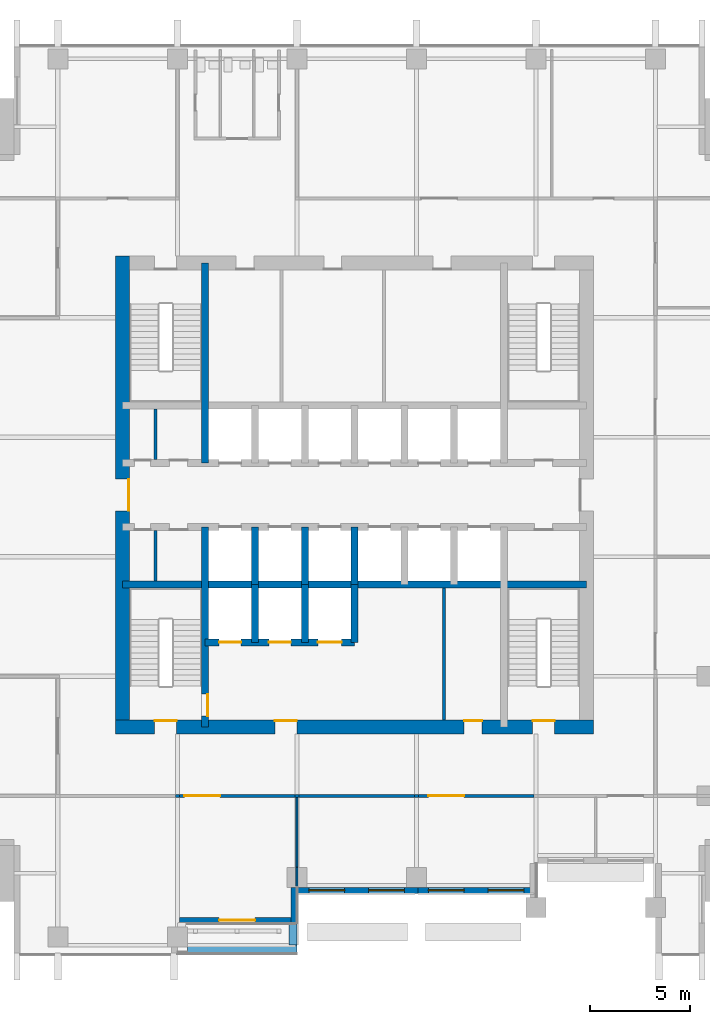
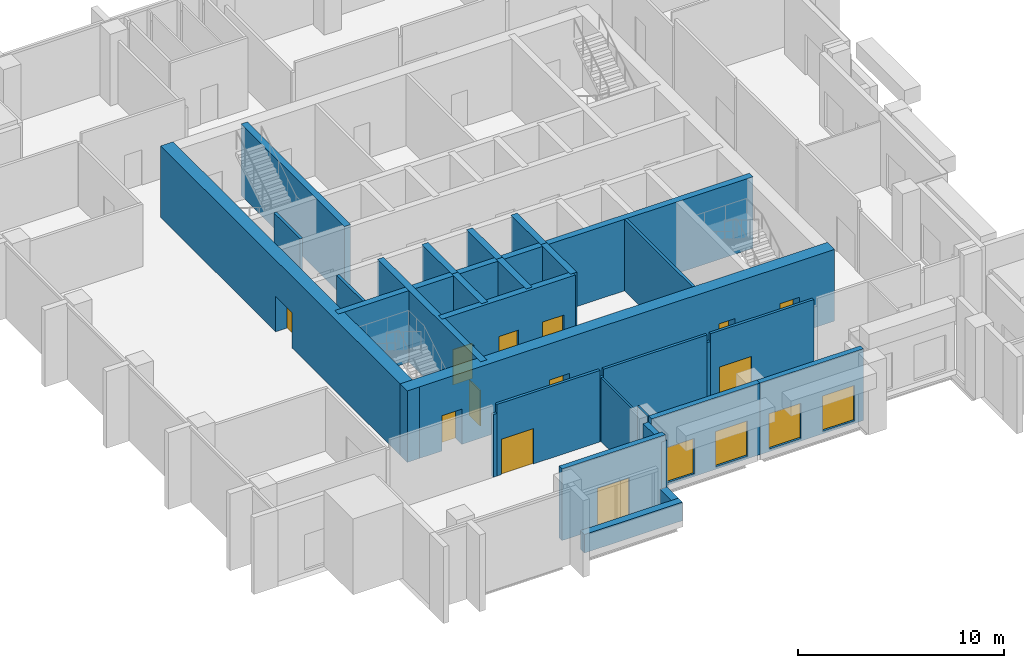
# One storey, part 4 of 11: 29 walls, 12 doors, 4 windows, 16 openings.
"""IFC4 building model written with IfcOpenShell, lengths in metres."""

from ifc_helpers import new_model, si_unit, direction, frame, frame_2d, origin, place, context, subcontext, project, spatial, rectangle, extrude, material, layer, layer_set, type_object, element, fill, save


model = new_model("IFC4")

# Units and contexts
model_context = context("Model", 3, precision=1e-05, world=origin(), true_north=direction((0.0, 1.0)))
body_context = subcontext(model_context, "Body", "Model", "MODEL_VIEW")
ifc_project = project(units=[si_unit("LENGTHUNIT", "METRE"), si_unit("AREAUNIT", "SQUARE_METRE"), si_unit("VOLUMEUNIT", "CUBIC_METRE"), si_unit("PLANEANGLEUNIT", "RADIAN"), si_unit("MASSUNIT", "GRAM", prefix="KILO")], contexts=[model_context])

# Site, building, storey
site_placement = place(None, origin())
site = spatial("IfcSite", under=ifc_project, at=site_placement, CompositionType="ELEMENT")
building_placement = place(site_placement, origin())
building = spatial("IfcBuilding", under=site, at=building_placement, Name="Amberfall Residences", CompositionType="ELEMENT")
storey_placement = place(building_placement, frame((0.0, 0.0, 150.39990234375)))
storey = spatial("IfcBuildingStorey", under=building, at=storey_placement, Name="L40", CompositionType="ELEMENT", Elevation=150.39990234375)

# Wall, opening, door
ifc_material_1 = material(Name="Pale stone cladding on insulated backing", Category="masonry")
ifc_layer_1 = layer(ifc_material_1, 0.300048828125)
ifc_layer_set_1 = layer_set([ifc_layer_1], Name="Bronze clad wall 300")
wall_type_1 = type_object("IfcWallType", Name="Bronze clad wall 300", PredefinedType="SOLIDWALL", material=ifc_layer_set_1)
wall_1_placement = place(storey_placement, frame((65.7099609375, 24.14990234375, 0.0), z_axis=(0.0, 0.0, 1.0), x_axis=(1.0, 0.0, 0.0)))
wall_1 = element("IfcWall", 1, at=wall_1_placement, inside=storey, type_object=wall_type_1, Name="Stone wall L40 S", PredefinedType="SOLIDWALL", context=body_context, shape_type="SweptSolid", body=[
    extrude(rectangle(XDim=5.800048828125, YDim=0.300048828125, at=frame_2d((2.89990234375, 0.0))), origin(), (0.0, 0.0, 1.0), 4.25),
])
opening_1_placement = place(wall_1_placement, frame((1.989990234375, 0.0, 0.0)))
opening_1 = element("IfcOpeningElement", 2, at=opening_1_placement, cuts=wall_1, Name="Opening D9", PredefinedType="OPENING", context=body_context, shape_type="SweptSolid", body=[
    extrude(rectangle(XDim=1.800048828125, YDim=2.39990234375, at=frame_2d((0.89990234375, 1.199951171875))), frame((0.0, 0.159912109375, 0.0), z_axis=(0.0, -1.0, 0.0), x_axis=(1.0, 0.0, 0.0)), (0.0, 0.0, 1.0), 0.320068359375),
])
ifc_material_2 = material(Name="Bronze framed toughened glass", Category="glass")
door_type_1 = type_object("IfcDoorType", Name="Terrace door 1800x2400", OperationType="DOUBLE_DOOR_SINGLE_SWING", PredefinedType="DOOR", material=ifc_material_2)
door_1_placement = place(opening_1_placement, origin())
door_1 = element("IfcDoor", 3, at=door_1_placement, inside=storey, type_object=door_type_1, Name="Sky garden terrace door S2", OperationType="DOUBLE_DOOR_SINGLE_SWING", OverallHeight=2.39990234375, OverallWidth=1.800048828125, PredefinedType="DOOR", context=body_context, shape_type="SweptSolid", body=[
    extrude(rectangle(XDim=1.800048828125, YDim=2.39990234375, at=frame_2d((0.89990234375, 1.199951171875))), frame((0.0, 0.02490234375, 0.0), z_axis=(0.0, -1.0, 0.0), x_axis=(1.0, 0.0, 0.0)), (0.0, 0.0, 1.0), 0.050048828125),
])
fill(opening_1, door_1)

# Wall
wall_2_placement = place(storey_placement, frame((71.449951171875, 24.0, 0.0), z_axis=(0.0, 0.0, 1.0), x_axis=(0.0, 1.0, 0.0)))
element("IfcWall", 4, at=wall_2_placement, inside=storey, type_object=wall_type_1, Name="Stone wall L40 E", PredefinedType="SOLIDWALL", context=body_context, shape_type="SweptSolid", body=[
    extrude(rectangle(XDim=1.800048828125, YDim=0.300048828125, at=frame_2d((0.89990234375, 0.0))), origin(), (0.0, 0.0, 1.0), 3.896728515625),
])

# Wall, openings, windows
wall_3_placement = place(storey_placement, frame((71.60009765625, 25.64990234375, 0.0), z_axis=(0.0, 0.0, 1.0), x_axis=(1.0, 0.0, 0.0)))
wall_3 = element("IfcWall", 5, at=wall_3_placement, inside=storey, type_object=wall_type_1, Name="Stone wall L40 S", PredefinedType="SOLIDWALL", context=body_context, shape_type="SweptSolid", body=[
    extrude(rectangle(XDim=6.08984375, YDim=0.300048828125, at=frame_2d((3.044921875, 0.0))), origin(), (0.0, 0.0, 1.0), 4.25),
])
opening_2_placement = place(wall_3_placement, frame((0.60009765625, 0.0, 0.14990234375)))
opening_2 = element("IfcOpeningElement", 6, at=opening_2_placement, cuts=wall_3, Name="Opening WN6", PredefinedType="OPENING", context=body_context, shape_type="SweptSolid", body=[
    extrude(rectangle(XDim=1.800048828125, YDim=2.10009765625, at=frame_2d((0.89990234375, 1.050048828125))), frame((0.0, 0.159912109375, 0.0), z_axis=(0.0, -1.0, 0.0), x_axis=(1.0, 0.0, 0.0)), (0.0, 0.0, 1.0), 0.320068359375),
])
opening_3_placement = place(wall_3_placement, frame((3.60009765625, 0.0, 0.14990234375)))
opening_3 = element("IfcOpeningElement", 7, at=opening_3_placement, cuts=wall_3, Name="Opening WN6", PredefinedType="OPENING", context=body_context, shape_type="SweptSolid", body=[
    extrude(rectangle(XDim=1.800048828125, YDim=2.10009765625, at=frame_2d((0.89990234375, 1.050048828125))), frame((0.0, 0.159912109375, 0.0), z_axis=(0.0, -1.0, 0.0), x_axis=(1.0, 0.0, 0.0)), (0.0, 0.0, 1.0), 0.320068359375),
])
ifc_material_3 = material(Name="Bronze aluminium framed glazing", Category="aluminium")
window_type = type_object("IfcWindowType", Name="Glazed opening 1800 x 2100 bronze", PartitioningType="DOUBLE_PANEL_VERTICAL", PredefinedType="WINDOW", material=ifc_material_3)
window_1_placement = place(opening_2_placement, origin())
window_1 = element("IfcWindow", 8, at=window_1_placement, inside=storey, type_object=window_type, Name="Window L40 S", OverallHeight=2.10009765625, OverallWidth=1.800048828125, PartitioningType="DOUBLE_PANEL_VERTICAL", PredefinedType="WINDOW", context=body_context, shape_type="SweptSolid", body=[
    extrude(rectangle(XDim=1.800048828125, YDim=2.10009765625, at=frame_2d((0.89990234375, 1.050048828125))), frame((0.0, 0.030029296875, 0.0), z_axis=(0.0, -1.0, 0.0), x_axis=(1.0, 0.0, 0.0)), (0.0, 0.0, 1.0), 0.06005859375),
])
fill(opening_2, window_1)
window_2_placement = place(opening_3_placement, origin())
window_2 = element("IfcWindow", 9, at=window_2_placement, inside=storey, type_object=window_type, Name="Window L40 S", OverallHeight=2.10009765625, OverallWidth=1.800048828125, PartitioningType="DOUBLE_PANEL_VERTICAL", PredefinedType="WINDOW", context=body_context, shape_type="SweptSolid", body=[
    extrude(rectangle(XDim=1.800048828125, YDim=2.10009765625, at=frame_2d((0.89990234375, 1.050048828125))), frame((0.0, 0.030029296875, 0.0), z_axis=(0.0, -1.0, 0.0), x_axis=(1.0, 0.0, 0.0)), (0.0, 0.0, 1.0), 0.06005859375),
])
fill(opening_3, window_2)

wall_4_placement = place(storey_placement, frame((77.68994140625, 25.64990234375, 0.0), z_axis=(0.0, 0.0, 1.0), x_axis=(1.0, 0.0, 0.0)))
wall_4 = element("IfcWall", 10, at=wall_4_placement, inside=storey, type_object=wall_type_1, Name="Stone wall L40 S", PredefinedType="SOLIDWALL", context=body_context, shape_type="SweptSolid", body=[
    extrude(rectangle(XDim=5.81005859375, YDim=0.300048828125, at=frame_2d((2.905029296875, 0.0))), origin(), (0.0, 0.0, 1.0), 4.25),
])
opening_4_placement = place(wall_4_placement, frame((0.510009765625, 0.0, 0.14990234375)))
opening_4 = element("IfcOpeningElement", 11, at=opening_4_placement, cuts=wall_4, Name="Opening WN6", PredefinedType="OPENING", context=body_context, shape_type="SweptSolid", body=[
    extrude(rectangle(XDim=1.800048828125, YDim=2.10009765625, at=frame_2d((0.89990234375, 1.050048828125))), frame((0.0, 0.159912109375, 0.0), z_axis=(0.0, -1.0, 0.0), x_axis=(1.0, 0.0, 0.0)), (0.0, 0.0, 1.0), 0.320068359375),
])
opening_5_placement = place(wall_4_placement, frame((3.510009765625, 0.0, 0.14990234375)))
opening_5 = element("IfcOpeningElement", 12, at=opening_5_placement, cuts=wall_4, Name="Opening WN6", PredefinedType="OPENING", context=body_context, shape_type="SweptSolid", body=[
    extrude(rectangle(XDim=1.800048828125, YDim=2.10009765625, at=frame_2d((0.89990234375, 1.050048828125))), frame((0.0, 0.159912109375, 0.0), z_axis=(0.0, -1.0, 0.0), x_axis=(1.0, 0.0, 0.0)), (0.0, 0.0, 1.0), 0.320068359375),
])
window_3_placement = place(opening_4_placement, origin())
window_3 = element("IfcWindow", 13, at=window_3_placement, inside=storey, type_object=window_type, Name="Window L40 S", OverallHeight=2.10009765625, OverallWidth=1.800048828125, PartitioningType="DOUBLE_PANEL_VERTICAL", PredefinedType="WINDOW", context=body_context, shape_type="SweptSolid", body=[
    extrude(rectangle(XDim=1.800048828125, YDim=2.10009765625, at=frame_2d((0.89990234375, 1.050048828125))), frame((0.0, 0.030029296875, 0.0), z_axis=(0.0, -1.0, 0.0), x_axis=(1.0, 0.0, 0.0)), (0.0, 0.0, 1.0), 0.06005859375),
])
fill(opening_4, window_3)
window_4_placement = place(opening_5_placement, origin())
window_4 = element("IfcWindow", 14, at=window_4_placement, inside=storey, type_object=window_type, Name="Window L40 S", OverallHeight=2.10009765625, OverallWidth=1.800048828125, PartitioningType="DOUBLE_PANEL_VERTICAL", PredefinedType="WINDOW", context=body_context, shape_type="SweptSolid", body=[
    extrude(rectangle(XDim=1.800048828125, YDim=2.10009765625, at=frame_2d((0.89990234375, 1.050048828125))), frame((0.0, 0.030029296875, 0.0), z_axis=(0.0, -1.0, 0.0), x_axis=(1.0, 0.0, 0.0)), (0.0, 0.0, 1.0), 0.06005859375),
])
fill(opening_5, window_4)

# Wall
ifc_material_4 = material(Name="Concrete C60", Category="concrete")
ifc_layer_2 = layer(ifc_material_4, 0.35009765625)
ifc_layer_set_2 = layer_set([ifc_layer_2], Name="Core wall 350 C60")
wall_type_2 = type_object("IfcWallType", Name="Core wall 350 C60", PredefinedType="SHEAR", material=ifc_layer_set_2)
wall_5_placement = place(storey_placement, frame((62.85009765625, 41.0, 0.0), z_axis=(0.0, 0.0, 1.0), x_axis=(1.0, 0.0, 0.0)))
element("IfcWall", 15, at=wall_5_placement, inside=storey, type_object=wall_type_2, Name="Core wall RW6 L40 H75", PredefinedType="SHEAR", context=body_context, shape_type="SweptSolid", body=[
    extrude(rectangle(XDim=23.2998046875, YDim=0.35009765625, at=frame_2d((11.64990234375, 0.0))), origin(), (0.0, 0.0, 1.0), 4.25),
])

# Wall, opening, door
wall_6_placement = place(storey_placement, frame((67.0, 33.85009765625, 0.0), z_axis=(0.0, 0.0, 1.0), x_axis=(0.0, 1.0, 0.0)))
wall_6 = element("IfcWall", 16, at=wall_6_placement, inside=storey, type_object=wall_type_2, Name="Core wall RW6 L40 V45S", PredefinedType="SHEAR", context=body_context, shape_type="SweptSolid", body=[
    extrude(rectangle(XDim=10.0498046875, YDim=0.35009765625, at=frame_2d((5.02490234375, 0.0))), origin(), (0.0, 0.0, 1.0), 4.25),
])
opening_6_placement = place(wall_6_placement, frame((0.550048828125, 0.0, 0.0)))
opening_6 = element("IfcOpeningElement", 17, at=opening_6_placement, cuts=wall_6, Name="Opening FL1", PredefinedType="OPENING", context=body_context, shape_type="SweptSolid", body=[
    extrude(rectangle(XDim=1.10009765625, YDim=2.10009765625, at=frame_2d((0.550048828125, 1.050048828125))), frame((0.0, 0.18505859375, 0.0), z_axis=(0.0, -1.0, 0.0), x_axis=(1.0, 0.0, 0.0)), (0.0, 0.0, 1.0), 0.3701171875),
])
ifc_material_5 = material(Name="Steel fire door set", Category="steel")
door_type_2 = type_object("IfcDoorType", Name="Firefighting lobby door 1100 x 2100", OperationType="SINGLE_SWING_LEFT", PredefinedType="DOOR", material=ifc_material_5)
door_2_placement = place(opening_6_placement, origin())
door_2 = element("IfcDoor", 18, at=door_2_placement, inside=storey, type_object=door_type_2, Name="FL1 L40", OperationType="SINGLE_SWING_RIGHT", OverallHeight=2.10009765625, OverallWidth=1.10009765625, PredefinedType="DOOR", context=body_context, shape_type="SweptSolid", body=[
    extrude(rectangle(XDim=1.10009765625, YDim=2.10009765625, at=frame_2d((0.550048828125, 1.050048828125))), frame((0.0, -0.1123046875, 0.0), z_axis=(0.0, -1.0, 0.0), x_axis=(1.0, 0.0, 0.0)), (0.0, 0.0, 1.0), 0.050048828125),
])
fill(opening_6, door_2)

# Walls
wall_7_placement = place(storey_placement, frame((67.0, 47.10009765625, 0.0), z_axis=(0.0, 0.0, 1.0), x_axis=(0.0, 1.0, 0.0)))
element("IfcWall", 19, at=wall_7_placement, inside=storey, type_object=wall_type_2, Name="Core wall RW6 L40 V45N", PredefinedType="SHEAR", context=body_context, shape_type="SweptSolid", body=[
    extrude(rectangle(XDim=10.0498046875, YDim=0.35009765625, at=frame_2d((5.02490234375, 0.0))), origin(), (0.0, 0.0, 1.0), 4.25),
])
for number, where, z_axis, x_axis, name in (
    (20, (69.5, 41.0, 0.0), (0.0, 0.0, 1.0), (0.0, 1.0, 0.0), "Core wall RW6 L40 LPD1"),
    (21, (72.0, 41.0, 0.0), (0.0, 0.0, 1.0), (0.0, 1.0, 0.0), "Core wall RW6 L40 LPD2"),
    (22, (74.5, 41.0, 0.0), (0.0, 0.0, 1.0), (0.0, 1.0, 0.0), "Core wall RW6 L40 LPD3"),
):
    element("IfcWall", number, at=place(storey_placement, frame(where, z_axis=z_axis, x_axis=x_axis)), inside=storey, type_object=wall_type_2, Name=name, PredefinedType="SHEAR", context=body_context, shape_type="SweptSolid", body=[
        extrude(rectangle(XDim=2.89990234375, YDim=0.35009765625, at=frame_2d((1.449951171875, 0.0))), origin(), (0.0, 0.0, 1.0), 4.25),
    ])

# Wall, openings, doors
wall_8_placement = place(storey_placement, frame((67.0, 38.10009765625, 0.0), z_axis=(0.0, 0.0, 1.0), x_axis=(1.0, 0.0, 0.0)))
wall_8 = element("IfcWall", 23, at=wall_8_placement, inside=storey, type_object=wall_type_2, Name="Core wall RW6 L40 FFF", PredefinedType="SHEAR", context=body_context, shape_type="SweptSolid", body=[
    extrude(rectangle(XDim=7.5, YDim=0.35009765625, at=frame_2d((3.75, 0.0))), origin(), (0.0, 0.0, 1.0), 4.25),
])
opening_7_placement = place(wall_8_placement, frame((0.699951171875, 0.0, 0.0)))
opening_7 = element("IfcOpeningElement", 24, at=opening_7_placement, cuts=wall_8, Name="Opening LD2", PredefinedType="OPENING", context=body_context, shape_type="SweptSolid", body=[
    extrude(rectangle(XDim=1.10009765625, YDim=2.10009765625, at=frame_2d((0.550048828125, 1.050048828125))), frame((0.0, 0.18505859375, 0.0), z_axis=(0.0, -1.0, 0.0), x_axis=(1.0, 0.0, 0.0)), (0.0, 0.0, 1.0), 0.3701171875),
])
opening_8_placement = place(wall_8_placement, frame((3.199951171875, 0.0, 0.0)))
opening_8 = element("IfcOpeningElement", 25, at=opening_8_placement, cuts=wall_8, Name="Opening LD2", PredefinedType="OPENING", context=body_context, shape_type="SweptSolid", body=[
    extrude(rectangle(XDim=1.10009765625, YDim=2.10009765625, at=frame_2d((0.550048828125, 1.050048828125))), frame((0.0, 0.18505859375, 0.0), z_axis=(0.0, -1.0, 0.0), x_axis=(1.0, 0.0, 0.0)), (0.0, 0.0, 1.0), 0.3701171875),
])
opening_9_placement = place(wall_8_placement, frame((5.64990234375, 0.0, 0.0)))
opening_9 = element("IfcOpeningElement", 26, at=opening_9_placement, cuts=wall_8, Name="Opening LD3", PredefinedType="OPENING", context=body_context, shape_type="SweptSolid", body=[
    extrude(rectangle(XDim=1.199951171875, YDim=2.10009765625, at=frame_2d((0.60009765625, 1.050048828125))), frame((0.0, 0.18505859375, 0.0), z_axis=(0.0, -1.0, 0.0), x_axis=(1.0, 0.0, 0.0)), (0.0, 0.0, 1.0), 0.3701171875),
])
door_type_3 = type_object("IfcDoorType", Name="Firefighting lift landing door 1100 x 2100", OperationType="DOUBLE_DOOR_SLIDING", PredefinedType="DOOR", material=ifc_material_5)
door_3_placement = place(opening_7_placement, origin())
door_3 = element("IfcDoor", 27, at=door_3_placement, inside=storey, type_object=door_type_3, Name="Landing door FF1 L40", OperationType="DOUBLE_DOOR_SLIDING", OverallHeight=2.10009765625, OverallWidth=1.10009765625, PredefinedType="DOOR", context=body_context, shape_type="SweptSolid", body=[
    extrude(rectangle(XDim=1.10009765625, YDim=2.10009765625, at=frame_2d((0.550048828125, 1.050048828125))), frame((0.0, 0.02490234375, 0.0), z_axis=(0.0, -1.0, 0.0), x_axis=(1.0, 0.0, 0.0)), (0.0, 0.0, 1.0), 0.050048828125),
])
fill(opening_7, door_3)
door_4_placement = place(opening_8_placement, origin())
door_4 = element("IfcDoor", 28, at=door_4_placement, inside=storey, type_object=door_type_3, Name="Landing door FF2 L40", OperationType="DOUBLE_DOOR_SLIDING", OverallHeight=2.10009765625, OverallWidth=1.10009765625, PredefinedType="DOOR", context=body_context, shape_type="SweptSolid", body=[
    extrude(rectangle(XDim=1.10009765625, YDim=2.10009765625, at=frame_2d((0.550048828125, 1.050048828125))), frame((0.0, 0.02490234375, 0.0), z_axis=(0.0, -1.0, 0.0), x_axis=(1.0, 0.0, 0.0)), (0.0, 0.0, 1.0), 0.050048828125),
])
fill(opening_8, door_4)
door_type_4 = type_object("IfcDoorType", Name="Service lift landing door 1200 x 2100", OperationType="DOUBLE_DOOR_SLIDING", PredefinedType="DOOR", material=ifc_material_5)
door_5_placement = place(opening_9_placement, origin())
door_5 = element("IfcDoor", 29, at=door_5_placement, inside=storey, type_object=door_type_4, Name="Landing door SL1 L40", OperationType="DOUBLE_DOOR_SLIDING", OverallHeight=2.10009765625, OverallWidth=1.199951171875, PredefinedType="DOOR", context=body_context, shape_type="SweptSolid", body=[
    extrude(rectangle(XDim=1.199951171875, YDim=2.10009765625, at=frame_2d((0.60009765625, 1.050048828125))), frame((0.0, 0.02490234375, 0.0), z_axis=(0.0, -1.0, 0.0), x_axis=(1.0, 0.0, 0.0)), (0.0, 0.0, 1.0), 0.050048828125),
])
fill(opening_9, door_5)

# Walls
for number, where, z_axis, x_axis, name in (
    (30, (69.5, 38.10009765625, 0.0), (0.0, 0.0, 1.0), (0.0, 1.0, 0.0), "Core wall RW6 L40 FFD1"),
    (31, (72.0, 38.10009765625, 0.0), (0.0, 0.0, 1.0), (0.0, 1.0, 0.0), "Core wall RW6 L40 FFD2"),
    (32, (74.5, 38.10009765625, 0.0), (0.0, 0.0, 1.0), (0.0, 1.0, 0.0), "Core wall RW6 L40 FFD3"),
):
    element("IfcWall", number, at=place(storey_placement, frame(where, z_axis=z_axis, x_axis=x_axis)), inside=storey, type_object=wall_type_2, Name=name, PredefinedType="SHEAR", context=body_context, shape_type="SweptSolid", body=[
        extrude(rectangle(XDim=2.89990234375, YDim=0.35009765625, at=frame_2d((1.449951171875, 0.0))), origin(), (0.0, 0.0, 1.0), 4.25),
    ])

# Wall, openings, doors
ifc_layer_3 = layer(ifc_material_4, 0.699951171875)
ifc_layer_set_3 = layer_set([ifc_layer_3], Name="Core wall 700 C60")
wall_type_3 = type_object("IfcWallType", Name="Core wall 700 C60", PredefinedType="SHEAR", material=ifc_layer_set_3)
wall_9_placement = place(storey_placement, frame((62.5, 33.85009765625, 0.0), z_axis=(0.0, 0.0, 1.0), x_axis=(1.0, 0.0, 0.0)))
wall_9 = element("IfcWall", 33, at=wall_9_placement, inside=storey, type_object=wall_type_3, Name="Core wall RW5 L40 OS", PredefinedType="SHEAR", context=body_context, shape_type="SweptSolid", body=[
    extrude(rectangle(XDim=24.0, YDim=0.699951171875, at=frame_2d((12.0, 0.0))), origin(), (0.0, 0.0, 1.0), 4.25),
])
opening_10_placement = place(wall_9_placement, frame((1.96240234375, 0.0, 0.0)))
opening_10 = element("IfcOpeningElement", 34, at=opening_10_placement, cuts=wall_9, Name="Opening SD1", PredefinedType="OPENING", context=body_context, shape_type="SweptSolid", body=[
    extrude(rectangle(XDim=1.10009765625, YDim=2.10009765625, at=frame_2d((0.550048828125, 1.050048828125))), frame((0.0, 0.35986328125, 0.0), z_axis=(0.0, -1.0, 0.0), x_axis=(1.0, 0.0, 0.0)), (0.0, 0.0, 1.0), 0.719970703125),
])
opening_11_placement = place(wall_9_placement, frame((20.9375, 0.0, 0.0)))
opening_11 = element("IfcOpeningElement", 35, at=opening_11_placement, cuts=wall_9, Name="Opening SD1", PredefinedType="OPENING", context=body_context, shape_type="SweptSolid", body=[
    extrude(rectangle(XDim=1.10009765625, YDim=2.10009765625, at=frame_2d((0.550048828125, 1.050048828125))), frame((0.0, 0.35986328125, 0.0), z_axis=(0.0, -1.0, 0.0), x_axis=(1.0, 0.0, 0.0)), (0.0, 0.0, 1.0), 0.719970703125),
])
opening_12_placement = place(wall_9_placement, frame((8.0, 0.0, 0.0)))
opening_12 = element("IfcOpeningElement", 36, at=opening_12_placement, cuts=wall_9, Name="Opening FL1", PredefinedType="OPENING", context=body_context, shape_type="SweptSolid", body=[
    extrude(rectangle(XDim=1.10009765625, YDim=2.10009765625, at=frame_2d((0.550048828125, 1.050048828125))), frame((0.0, 0.35986328125, 0.0), z_axis=(0.0, -1.0, 0.0), x_axis=(1.0, 0.0, 0.0)), (0.0, 0.0, 1.0), 0.719970703125),
])
opening_13_placement = place(wall_9_placement, frame((17.5, 0.0, 0.0)))
opening_13 = element("IfcOpeningElement", 37, at=opening_13_placement, cuts=wall_9, Name="Opening RD1", PredefinedType="OPENING", context=body_context, shape_type="SweptSolid", body=[
    extrude(rectangle(XDim=0.89990234375, YDim=2.10009765625, at=frame_2d((0.449951171875, 1.050048828125))), frame((0.0, 0.35986328125, 0.0), z_axis=(0.0, -1.0, 0.0), x_axis=(1.0, 0.0, 0.0)), (0.0, 0.0, 1.0), 0.719970703125),
])
door_6_placement = place(opening_12_placement, origin())
door_6 = element("IfcDoor", 38, at=door_6_placement, inside=storey, type_object=door_type_2, Name="FL1 L40", OperationType="SINGLE_SWING_LEFT", OverallHeight=2.10009765625, OverallWidth=1.10009765625, PredefinedType="DOOR", context=body_context, shape_type="SweptSolid", body=[
    extrude(rectangle(XDim=1.10009765625, YDim=2.10009765625, at=frame_2d((0.550048828125, 1.050048828125))), frame((0.0, 0.33740234375, 0.0), z_axis=(0.0, -1.0, 0.0), x_axis=(1.0, 0.0, 0.0)), (0.0, 0.0, 1.0), 0.050048828125),
])
fill(opening_12, door_6)
door_type_5 = type_object("IfcDoorType", Name="Service room door 900 x 2100", OperationType="SINGLE_SWING_LEFT", PredefinedType="DOOR", material=ifc_material_5)
door_7_placement = place(opening_13_placement, origin())
door_7 = element("IfcDoor", 39, at=door_7_placement, inside=storey, type_object=door_type_5, Name="RD1 L40", OperationType="SINGLE_SWING_LEFT", OverallHeight=2.10009765625, OverallWidth=0.89990234375, PredefinedType="DOOR", context=body_context, shape_type="SweptSolid", body=[
    extrude(rectangle(XDim=0.89990234375, YDim=2.10009765625, at=frame_2d((0.449951171875, 1.050048828125))), frame((0.0, 0.33740234375, 0.0), z_axis=(0.0, -1.0, 0.0), x_axis=(1.0, 0.0, 0.0)), (0.0, 0.0, 1.0), 0.050048828125),
])
fill(opening_13, door_7)
door_type_6 = type_object("IfcDoorType", Name="Stair door 1100 x 2100", OperationType="SINGLE_SWING_LEFT", PredefinedType="DOOR", material=ifc_material_5)
door_8_placement = place(opening_10_placement, origin())
door_8 = element("IfcDoor", 40, at=door_8_placement, inside=storey, type_object=door_type_6, Name="SD1 L40", OperationType="SINGLE_SWING_LEFT", OverallHeight=2.10009765625, OverallWidth=1.10009765625, PredefinedType="DOOR", context=body_context, shape_type="SweptSolid", body=[
    extrude(rectangle(XDim=1.10009765625, YDim=2.10009765625, at=frame_2d((0.550048828125, 1.050048828125))), frame((0.0, 0.33740234375, 0.0), z_axis=(0.0, -1.0, 0.0), x_axis=(1.0, 0.0, 0.0)), (0.0, 0.0, 1.0), 0.050048828125),
])
fill(opening_10, door_8)
door_9_placement = place(opening_11_placement, origin())
door_9 = element("IfcDoor", 41, at=door_9_placement, inside=storey, type_object=door_type_6, Name="SD1 L40", OperationType="SINGLE_SWING_RIGHT", OverallHeight=2.10009765625, OverallWidth=1.10009765625, PredefinedType="DOOR", context=body_context, shape_type="SweptSolid", body=[
    extrude(rectangle(XDim=1.10009765625, YDim=2.10009765625, at=frame_2d((0.550048828125, 1.050048828125))), frame((0.0, 0.33740234375, 0.0), z_axis=(0.0, -1.0, 0.0), x_axis=(1.0, 0.0, 0.0)), (0.0, 0.0, 1.0), 0.050048828125),
])
fill(opening_11, door_9)

# Wall, opening, door
wall_10_placement = place(storey_placement, frame((62.85009765625, 33.5, 0.0), z_axis=(0.0, 0.0, 1.0), x_axis=(0.0, 1.0, 0.0)))
wall_10 = element("IfcWall", 42, at=wall_10_placement, inside=storey, type_object=wall_type_3, Name="Core wall RW5 L40 OW", PredefinedType="SHEAR", context=body_context, shape_type="SweptSolid", body=[
    extrude(rectangle(XDim=24.0, YDim=0.699951171875, at=frame_2d((12.0, 0.0))), origin(), (0.0, 0.0, 1.0), 4.25),
])
opening_14_placement = place(wall_10_placement, frame((11.199951171875, 0.0, 0.0)))
opening_14 = element("IfcOpeningElement", 43, at=opening_14_placement, cuts=wall_10, Name="Opening LB1", PredefinedType="OPENING", context=body_context, shape_type="SweptSolid", body=[
    extrude(rectangle(XDim=1.60009765625, YDim=2.10009765625, at=frame_2d((0.800048828125, 1.050048828125))), frame((0.0, 0.35986328125, 0.0), z_axis=(0.0, -1.0, 0.0), x_axis=(1.0, 0.0, 0.0)), (0.0, 0.0, 1.0), 0.719970703125),
])
door_type_7 = type_object("IfcDoorType", Name="Lift lobby double door 1600 x 2100", OperationType="DOUBLE_DOOR_SINGLE_SWING", PredefinedType="DOOR", material=ifc_material_5)
door_10_placement = place(opening_14_placement, origin())
door_10 = element("IfcDoor", 44, at=door_10_placement, inside=storey, type_object=door_type_7, Name="LB1 L40", OperationType="DOUBLE_DOOR_SINGLE_SWING", OverallHeight=2.10009765625, OverallWidth=1.60009765625, PredefinedType="DOOR", context=body_context, shape_type="SweptSolid", body=[
    extrude(rectangle(XDim=1.60009765625, YDim=2.10009765625, at=frame_2d((0.800048828125, 1.050048828125))), frame((0.0, -0.28759765625, 0.0), z_axis=(0.0, -1.0, 0.0), x_axis=(1.0, 0.0, 0.0)), (0.0, 0.0, 1.0), 0.050048828125),
])
fill(opening_14, door_10)

# Walls
ifc_material_6 = material(Name="Gypsum board on steel studs", Category="steel")
ifc_layer_4 = layer(ifc_material_6, 0.10009765625)
ifc_layer_set_4 = layer_set([ifc_layer_4], Name="Partition 100")
wall_type_4 = type_object("IfcWallType", Name="Partition 100", PredefinedType="PARTITIONING", material=ifc_layer_set_4)
wall_11_placement = place(storey_placement, frame((71.60009765625, 25.800048828125, 0.0), z_axis=(0.0, 0.0, 1.0), x_axis=(0.0, 1.0, 0.0)))
element("IfcWall", 45, at=wall_11_placement, inside=storey, type_object=wall_type_4, Name="Partition 100 L40 011", PredefinedType="PARTITIONING", context=body_context, shape_type="SweptSolid", body=[
    extrude(rectangle(XDim=1.0, YDim=0.10009765625, at=frame_2d((0.5, 0.0))), origin(), (0.0, 0.0, 1.0), 4.25),
])
wall_12_placement = place(storey_placement, frame((71.60009765625, 26.800048828125, 0.0), z_axis=(0.0, 0.0, 1.0), x_axis=(0.0, 1.0, 0.0)))
element("IfcWall", 46, at=wall_12_placement, inside=storey, type_object=wall_type_4, Name="Partition 100 L40 012", PredefinedType="PARTITIONING", context=body_context, shape_type="SweptSolid", body=[
    extrude(rectangle(XDim=3.52490234375, YDim=0.10009765625, at=frame_2d((1.762451171875, 0.0))), origin(), (0.0, 0.0, 1.0), 3.7900390625),
])
ifc_material_7 = material(Name="Fire-rated gypsum board on steel studs", Category="steel")
ifc_layer_5 = layer(ifc_material_7, 0.14990234375)
ifc_layer_set_5 = layer_set([ifc_layer_5], Name="Partition 150 fire-rated")
wall_type_5 = type_object("IfcWallType", Name="Partition 150 fire-rated", PredefinedType="PARTITIONING", material=ifc_layer_set_5)
wall_13_placement = place(storey_placement, frame((65.495361328125, 30.39990234375, 0.0), z_axis=(0.0, 0.0, 1.0), x_axis=(1.0, 0.0, 0.0)))
element("IfcWall", 47, at=wall_13_placement, inside=storey, type_object=wall_type_5, Name="Partition 150 fire-rated L40 004", PredefinedType="PARTITIONING", context=body_context, shape_type="SweptSolid", body=[
    extrude(rectangle(XDim=0.209228515625, YDim=0.14990234375, at=frame_2d((0.1044921875, 0.0))), origin(), (0.0, 0.0, 1.0), 3.717041015625),
])

# Wall, opening, door
wall_14_placement = place(storey_placement, frame((65.70458984375, 30.39990234375, 0.0), z_axis=(0.0, 0.0, 1.0), x_axis=(1.0, 0.0, 0.0)))
wall_14 = element("IfcWall", 48, at=wall_14_placement, inside=storey, type_object=wall_type_5, Name="Partition 150 fire-rated L40 005", PredefinedType="PARTITIONING", context=body_context, shape_type="SweptSolid", body=[
    extrude(rectangle(XDim=5.7998046875, YDim=0.14990234375, at=frame_2d((2.89990234375, 0.0))), origin(), (0.0, 0.0, 1.0), 4.25),
])
opening_15_placement = place(wall_14_placement, frame((0.245361328125, 0.0, 0.0)))
opening_15 = element("IfcOpeningElement", 49, at=opening_15_placement, cuts=wall_14, Name="Opening D5", PredefinedType="OPENING", context=body_context, shape_type="SweptSolid", body=[
    extrude(rectangle(XDim=1.800048828125, YDim=2.10009765625, at=frame_2d((0.89990234375, 1.050048828125))), frame((0.0, 0.0849609375, 0.0), z_axis=(0.0, -1.0, 0.0), x_axis=(1.0, 0.0, 0.0)), (0.0, 0.0, 1.0), 0.169921875),
])
ifc_material_8 = material(Name="Timber veneer door leaf", Category="wood")
door_type_8 = type_object("IfcDoorType", Name="Double door 1800x2100", OperationType="DOUBLE_DOOR_SINGLE_SWING", PredefinedType="DOOR", material=ifc_material_8)
door_11_placement = place(opening_15_placement, origin())
door_11 = element("IfcDoor", 50, at=door_11_placement, inside=storey, type_object=door_type_8, Name="Door Sky lounge", OperationType="DOUBLE_DOOR_SINGLE_SWING", OverallHeight=2.10009765625, OverallWidth=1.800048828125, PredefinedType="DOOR", context=body_context, shape_type="SweptSolid", body=[
    extrude(rectangle(XDim=1.800048828125, YDim=2.10009765625, at=frame_2d((0.89990234375, 1.050048828125))), frame((0.0, 0.02490234375, 0.0), z_axis=(0.0, -1.0, 0.0), x_axis=(1.0, 0.0, 0.0)), (0.0, 0.0, 1.0), 0.050048828125),
])
fill(opening_15, door_11)

# Walls
wall_15_placement = place(storey_placement, frame((71.50439453125, 30.39990234375, 0.0), z_axis=(0.0, 0.0, 1.0), x_axis=(1.0, 0.0, 0.0)))
element("IfcWall", 51, at=wall_15_placement, inside=storey, type_object=wall_type_5, Name="Partition 150 fire-rated L40 006", PredefinedType="PARTITIONING", context=body_context, shape_type="SweptSolid", body=[
    extrude(rectangle(XDim=0.19140625, YDim=0.14990234375, at=frame_2d((0.095703125, 0.0))), origin(), (0.0, 0.0, 1.0), 3.7900390625),
])
wall_16_placement = place(storey_placement, frame((71.69580078125, 30.39990234375, 0.0), z_axis=(0.0, 0.0, 1.0), x_axis=(1.0, 0.0, 0.0)))
element("IfcWall", 52, at=wall_16_placement, inside=storey, type_object=wall_type_5, Name="Partition 150 fire-rated L40 007", PredefinedType="PARTITIONING", context=body_context, shape_type="SweptSolid", body=[
    extrude(rectangle(XDim=5.80859375, YDim=0.14990234375, at=frame_2d((2.904296875, 0.0))), origin(), (0.0, 0.0, 1.0), 4.25),
])
wall_17_placement = place(storey_placement, frame((77.50439453125, 30.39990234375, 0.0), z_axis=(0.0, 0.0, 1.0), x_axis=(1.0, 0.0, 0.0)))
element("IfcWall", 53, at=wall_17_placement, inside=storey, type_object=wall_type_5, Name="Partition 150 fire-rated L40 008", PredefinedType="PARTITIONING", context=body_context, shape_type="SweptSolid", body=[
    extrude(rectangle(XDim=0.19140625, YDim=0.14990234375, at=frame_2d((0.095703125, 0.0))), origin(), (0.0, 0.0, 1.0), 3.7900390625),
])

# Wall, opening, door
wall_18_placement = place(storey_placement, frame((77.69580078125, 30.39990234375, 0.0), z_axis=(0.0, 0.0, 1.0), x_axis=(1.0, 0.0, 0.0)))
wall_18 = element("IfcWall", 54, at=wall_18_placement, inside=storey, type_object=wall_type_5, Name="Partition 150 fire-rated L40 009", PredefinedType="PARTITIONING", context=body_context, shape_type="SweptSolid", body=[
    extrude(rectangle(XDim=5.80859375, YDim=0.14990234375, at=frame_2d((2.904296875, 0.0))), origin(), (0.0, 0.0, 1.0), 4.25),
])
opening_16_placement = place(wall_18_placement, frame((0.50439453125, 0.0, 0.0)))
opening_16 = element("IfcOpeningElement", 55, at=opening_16_placement, cuts=wall_18, Name="Opening D5", PredefinedType="OPENING", context=body_context, shape_type="SweptSolid", body=[
    extrude(rectangle(XDim=1.800048828125, YDim=2.10009765625, at=frame_2d((0.89990234375, 1.050048828125))), frame((0.0, 0.0849609375, 0.0), z_axis=(0.0, -1.0, 0.0), x_axis=(1.0, 0.0, 0.0)), (0.0, 0.0, 1.0), 0.169921875),
])
door_12_placement = place(opening_16_placement, origin())
door_12 = element("IfcDoor", 56, at=door_12_placement, inside=storey, type_object=door_type_8, Name="Door Residents restaurant", OperationType="DOUBLE_DOOR_SINGLE_SWING", OverallHeight=2.10009765625, OverallWidth=1.800048828125, PredefinedType="DOOR", context=body_context, shape_type="SweptSolid", body=[
    extrude(rectangle(XDim=1.800048828125, YDim=2.10009765625, at=frame_2d((0.89990234375, 1.050048828125))), frame((0.0, 0.02490234375, 0.0), z_axis=(0.0, -1.0, 0.0), x_axis=(1.0, 0.0, 0.0)), (0.0, 0.0, 1.0), 0.050048828125),
])
fill(opening_16, door_12)

# Walls
ifc_material_9 = material(Name="Concrete blockwork", Category="masonry")
ifc_layer_6 = layer(ifc_material_9, 0.14990234375)
ifc_layer_set_6 = layer_set([ifc_layer_6], Name="Riser wall 150")
wall_type_6 = type_object("IfcWallType", Name="Riser wall 150", PredefinedType="PLUMBINGWALL", material=ifc_layer_set_6)
wall_19_placement = place(storey_placement, frame((79.0, 34.199951171875, 0.0), z_axis=(0.0, 0.0, 1.0), x_axis=(0.0, 1.0, 0.0)))
element("IfcWall", 57, at=wall_19_placement, inside=storey, type_object=wall_type_6, Name="L40 core wall PX", PredefinedType="PLUMBINGWALL", context=body_context, shape_type="SweptSolid", body=[
    extrude(rectangle(XDim=6.625, YDim=0.14990234375, at=frame_2d((3.3125, 0.0))), origin(), (0.0, 0.0, 1.0), 4.25),
])
for number, where, z_axis, x_axis, name in (
    (58, (64.5048828125, 41.175048828125, 0.0), (0.0, 0.0, 1.0), (0.0, 1.0, 0.0), "L40 core wall ASW0"),
    (59, (64.5048828125, 47.27490234375, 0.0), (0.0, 0.0, 1.0), (0.0, 1.0, 0.0), "L40 core wall ANW0"),
):
    element("IfcWall", number, at=place(storey_placement, frame(where, z_axis=z_axis, x_axis=x_axis)), inside=storey, type_object=wall_type_6, Name=name, PredefinedType="PLUMBINGWALL", context=body_context, shape_type="SweptSolid", body=[
        extrude(rectangle(XDim=2.550048828125, YDim=0.14990234375, at=frame_2d((1.27490234375, 0.0))), origin(), (0.0, 0.0, 1.0), 4.25),
    ])
ifc_material_10 = material(Name="Pale stone faced Concrete C40", Category="masonry")
ifc_layer_7 = layer(ifc_material_10, 0.39990234375)
ifc_layer_set_7 = layer_set([ifc_layer_7], Name="Terrace parapet wall 400")
wall_type_7 = type_object("IfcWallType", Name="Terrace parapet wall 400", PredefinedType="PARAPET", material=ifc_layer_set_7)
wall_20_placement = place(storey_placement, frame((66.10009765625, 22.699951171875, 0.030029296875), z_axis=(0.0, 0.0, 1.0), x_axis=(1.0, 0.0, 0.0)))
element("IfcWall", 60, at=wall_20_placement, inside=storey, type_object=wall_type_7, Name="Terrace parapet L40 S2", PredefinedType="PARAPET", context=body_context, shape_type="SweptSolid", body=[
    extrude(rectangle(XDim=5.5, YDim=0.39990234375, at=frame_2d((2.75, 0.0))), origin(), (0.0, 0.0, 1.0), 1.10009765625),
])
wall_21_placement = place(storey_placement, frame((71.39990234375, 22.89990234375, 0.030029296875), z_axis=(0.0, 0.0, 1.0), x_axis=(0.0, 1.0, 0.0)))
element("IfcWall", 61, at=wall_21_placement, inside=storey, type_object=wall_type_7, Name="Terrace parapet L40 S2 return", PredefinedType="PARAPET", context=body_context, shape_type="SweptSolid", body=[
    extrude(rectangle(XDim=1.10009765625, YDim=0.39990234375, at=frame_2d((0.550048828125, 0.0))), origin(), (0.0, 0.0, 1.0), 1.10009765625),
])

save(model, "model.ifc")
